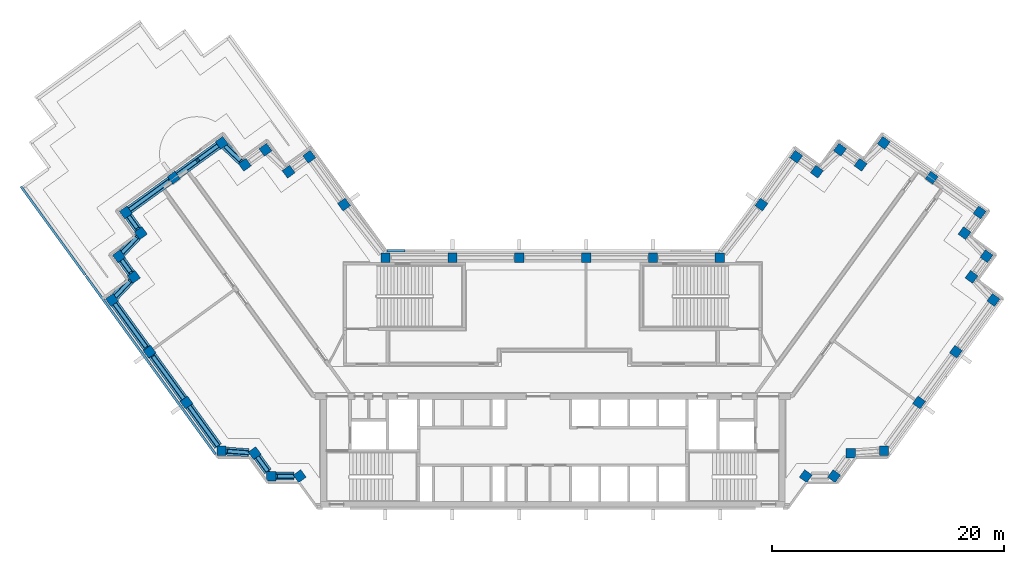
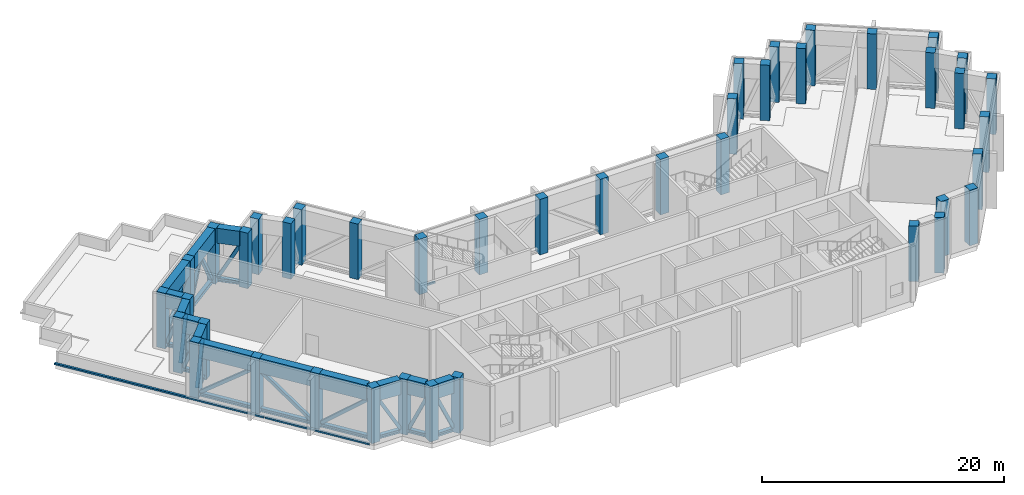
"""IFC4 building model written with IfcOpenShell, lengths in metres."""

from ifc_helpers import new_model, si_unit, direction, frame, origin, origin_2d, place, context, subcontext, project, spatial, rectangle, hollow_rectangle, i_section, extrude, material, material_profile, profile_set, type_object, element, aggregate, save


model = new_model("IFC4")

# Units and contexts
model_context = context("Model", 3, precision=1e-05, world=origin(), true_north=direction((0.0, 1.0)))
body_context = subcontext(model_context, "Body", "Model", "MODEL_VIEW")
ifc_project = project(units=[si_unit("LENGTHUNIT", "METRE"), si_unit("AREAUNIT", "SQUARE_METRE"), si_unit("VOLUMEUNIT", "CUBIC_METRE"), si_unit("PLANEANGLEUNIT", "RADIAN"), si_unit("MASSUNIT", "GRAM", prefix="KILO")], contexts=[model_context])

# Site, building, storey
site_placement = place(None, origin())
site = spatial("IfcSite", under=ifc_project, at=site_placement, CompositionType="ELEMENT")
building_placement = place(site_placement, origin())
building = spatial("IfcBuilding", under=site, at=building_placement, Name="Quipu Civic Tower", CompositionType="ELEMENT")
storey_1_placement = place(building_placement, frame((0.0, 0.0, 242.0)))
storey_1 = spatial("IfcBuildingStorey", under=building, at=storey_1_placement, Name="L57", CompositionType="ELEMENT", Elevation=242.0)

# Columns
ifc_material_1 = material(Name="Concrete C50/60", Category="concrete")
ifc_material_profile_1 = material_profile(ifc_material_1, rectangle(XDim=0.800048828125, YDim=0.800048828125, at=origin_2d()), Name="RC800x800")
ifc_profile_set_1 = profile_set([ifc_material_profile_1], Name="Concrete C50/60")
column_type = type_object("IfcColumnType", Name="Perimeter column RC 800x800 C50/60", PredefinedType="COLUMN", material=ifc_profile_set_1)
for number, where, z_axis, x_axis, name in (
    (1, (-17.9736328125, 15.074951171875, 0.0), (0.0, 0.0, 1.0), (-0.587785252292, 0.809016994375, 0.0), "Column L57 W-IN-01"),
    (2, (-20.969970703125, 19.195068359375, 0.0), (0.0, 0.0, 1.0), (-0.587785252292, 0.809016994375, 0.0), "Column L57 T-Wi.0-W22"),
    (3, (-22.749267578125, 17.904296875, 0.0), (0.0, 0.0, 1.0), (-0.587785252292, 0.809016994375, 0.0), "Column L57 T-Wi.1-W22"),
    (4, (-24.739990234375, 19.794921875, 0.0), (0.0, 0.0, 1.0), (-0.587785252292, 0.809016994375, 0.0), "Column L57 T-Wi.2-W22"),
    (5, (-26.51904296875, 18.50048828125, 0.0), (0.0, 0.0, 1.0), (-0.587785252292, 0.809016994375, 0.0), "Column L57 T-Wi.3-W22"),
    (6, (-28.510009765625, 20.389892578125, 0.0), (0.0, 0.0, 1.0), (-0.809016994375, -0.587785252292, 0.0), "Column L57 T-Wi.4-W22"),
    (7, (-32.636962890625, 17.39306640625, 0.0), (0.0, 0.0, 1.0), (-0.809016994375, -0.587785252292, 0.0), "Column L57 TIP-W-01-W22"),
    (8, (-36.764892578125, 14.39501953125, 0.0), (0.0, 0.0, 1.0), (0.587785252292, -0.809016994375, 0.0), "Column L57 T-Wo.0-W22"),
    (9, (-35.470703125, 12.616455078125, 0.0), (0.0, 0.0, 1.0), (-0.809016994375, -0.587785252292, 0.0), "Column L57 T-Wo.1-W22"),
    (10, (-37.360107421875, 10.625, 0.0), (0.0, 0.0, 1.0), (0.587785252292, -0.809016994375, 0.0), "Column L57 T-Wo.2-W22"),
    (11, (-36.068115234375, 8.843994140625, 0.0), (0.0, 0.0, 1.0), (0.587785252292, -0.809016994375, 0.0), "Column L57 T-Wo.3-W22"),
    (12, (-37.9599609375, 6.85498046875, 0.0), (0.0, 0.0, 1.0), (0.587785252292, -0.809016994375, 0.0), "Column L57 T-Wo.4-W22"),
    (13, (-34.722412109375, 2.39990234375, 0.0), (0.0, 0.0, 1.0), (0.587785252292, -0.809016994375, 0.0), "Column L57 W-OUT-02"),
    (14, (-31.54833984375, -1.96875, 0.0), (0.0, 0.0, 1.0), (0.587785252292, -0.809016994375, 0.0), "Column L57 W-OUT-01"),
    (15, (-28.52490234375, -6.1298828125, 0.0), (0.0, 0.0, 1.0), (1.0, 0.0, 0.0), "Column L57 J-Wo.0"),
    (16, (-25.67431640625, -6.3369140625, 0.0), (0.0, 0.0, 1.0), (0.587785252292, -0.809016994375, 0.0), "Column L57 J-Wo.1"),
    (17, (-24.235107421875, -8.31494140625, 0.0), (0.0, 0.0, 1.0), (1.0, 0.0, 0.0), "Column L57 J-Wo.2"),
    (18, (-21.791748046875, -8.31494140625, 0.0), (0.0, 0.0, 1.0), (0.587785252292, -0.809016994375, 0.0), "Column L57 J-Wo.3"),
    (19, (21.791748046875, -8.31494140625, 0.0), (0.0, 0.0, 1.0), (0.587785252292, 0.809016994375, 0.0), "Column L57 J-Eo.1"),
    (20, (24.235107421875, -8.31494140625, 0.0), (0.0, 0.0, 1.0), (0.587785252292, 0.809016994375, 0.0), "Column L57 J-Eo.2"),
    (21, (25.67431640625, -6.3369140625, 0.0), (0.0, 0.0, 1.0), (1.0, 0.0, 0.0), "Column L57 J-Eo.3"),
    (22, (28.52490234375, -6.1298828125, 0.0), (0.0, 0.0, 1.0), (1.0, 0.0, 0.0), "Column L57 J-Eo.4"),
    (23, (31.54833984375, -1.96875, 0.0), (0.0, 0.0, 1.0), (0.587785252292, 0.809016994375, 0.0), "Column L57 E-OUT-01"),
    (24, (34.722412109375, 2.39990234375, 0.0), (0.0, 0.0, 1.0), (0.587785252292, 0.809016994375, 0.0), "Column L57 E-OUT-02"),
    (25, (37.9599609375, 6.85498046875, 0.0), (0.0, 0.0, 1.0), (0.587785252292, 0.809016994375, 0.0), "Column L57 T-Eo.0-E22"),
    (26, (36.068115234375, 8.843994140625, 0.0), (0.0, 0.0, 1.0), (0.587785252292, 0.809016994375, 0.0), "Column L57 T-Eo.1-E22"),
    (27, (37.360107421875, 10.625, 0.0), (0.0, 0.0, 1.0), (0.587785252292, 0.809016994375, 0.0), "Column L57 T-Eo.2-E22"),
    (28, (35.470703125, 12.616455078125, 0.0), (0.0, 0.0, 1.0), (-0.809016994375, 0.587785252292, 0.0), "Column L57 T-Eo.3-E22"),
    (29, (36.764892578125, 14.39501953125, 0.0), (0.0, 0.0, 1.0), (-0.809016994375, 0.587785252292, 0.0), "Column L57 T-Eo.4-E22"),
    (30, (32.636962890625, 17.39306640625, 0.0), (0.0, 0.0, 1.0), (-0.809016994375, 0.587785252292, 0.0), "Column L57 TIP-E-01-E22"),
    (31, (28.510009765625, 20.389892578125, 0.0), (0.0, 0.0, 1.0), (-0.587785252292, -0.809016994375, 0.0), "Column L57 T-Ei.0-E22"),
    (32, (26.51904296875, 18.50048828125, 0.0), (0.0, 0.0, 1.0), (-0.809016994375, 0.587785252292, 0.0), "Column L57 T-Ei.1-E22"),
    (33, (24.739990234375, 19.794921875, 0.0), (0.0, 0.0, 1.0), (-0.587785252292, -0.809016994375, 0.0), "Column L57 T-Ei.2-E22"),
    (34, (22.749267578125, 17.904296875, 0.0), (0.0, 0.0, 1.0), (-0.587785252292, -0.809016994375, 0.0), "Column L57 T-Ei.3-E22"),
    (35, (20.969970703125, 19.195068359375, 0.0), (0.0, 0.0, 1.0), (-0.587785252292, -0.809016994375, 0.0), "Column L57 T-Ei.4-E22"),
    (36, (17.9736328125, 15.074951171875, 0.0), (0.0, 0.0, 1.0), (-0.587785252292, -0.809016994375, 0.0), "Column L57 E-IN-01"),
    (37, (14.395263671875, 10.5, 0.0), (0.0, 0.0, 1.0), (-1.0, 0.0, 0.0), "Column L57 J-Ei.0"),
    (38, (8.63720703125, 10.5, 0.0), (0.0, 0.0, 1.0), (-1.0, 0.0, 0.0), "Column L57 FRONT-01"),
    (39, (2.87890625, 10.5, 0.0), (0.0, 0.0, 1.0), (-1.0, 0.0, 0.0), "Column L57 FRONT-02"),
    (40, (-2.87890625, 10.5, 0.0), (0.0, 0.0, 1.0), (-1.0, 0.0, 0.0), "Column L57 FRONT-03"),
    (41, (-8.63720703125, 10.5, 0.0), (0.0, 0.0, 1.0), (-1.0, 0.0, 0.0), "Column L57 FRONT-04"),
    (42, (-14.395263671875, 10.5, 0.0), (0.0, 0.0, 1.0), (-1.0, 0.0, 0.0), "Column L57 J-Wi.0"),
):
    element("IfcColumn", number, at=place(storey_1_placement, frame(where, z_axis=z_axis, x_axis=x_axis)), inside=storey_1, type_object=column_type, Name=name, PredefinedType="COLUMN", context=body_context, shape_type="SweptSolid", body=[
        extrude(rectangle(XDim=0.800048828125, YDim=0.800048828125, at=origin_2d()), origin(), (0.0, 0.0, 1.0), 5.60009765625),
    ])

# Beams
ifc_material_2 = material(Name="Steel ASTM A992 Grade 50 (fy 345 MPa)", Category="steel")
ifc_material_profile_2 = material_profile(ifc_material_2, i_section(OverallWidth=0.368896484375, OverallDepth=0.356201171875, WebThickness=0.01123046875, FlangeThickness=0.01806640625, at=origin_2d()), Name="W360x134")
ifc_profile_set_2 = profile_set([ifc_material_profile_2], Name="Steel ASTM A992 Grade 50 (fy 345 MPa)")
beam_type_1 = type_object("IfcBeamType", Name="Belt truss bottom chord W360x134", PredefinedType="BEAM", material=ifc_profile_set_2)
beam_1_placement = place(storey_1_placement, frame((-26.81396484375, 18.780517578125, 0.278076171875), z_axis=(-0.725384387405, 0.688344020464, 0.0), x_axis=(-0.688344020464, -0.725384387405, 0.0)))
element("IfcBeam", 43, at=beam_1_placement, inside=storey_1, type_object=beam_type_1, Name="Truss bottom chord L57 T-Wi.3-W22 to T-Wi.4-W22", PredefinedType="BEAM", context=body_context, shape_type="SweptSolid", body=[
    extrude(i_section(OverallWidth=0.368896484375, OverallDepth=0.356201171875, WebThickness=0.01123046875, FlangeThickness=0.01806640625, at=origin_2d()), origin(), (0.0, 0.0, 1.0), 1.93115234375),
])
beam_2_placement = place(storey_1_placement, frame((-28.833740234375, 20.155029296875, 0.278076171875), z_axis=(-0.80911644178, -0.587648350327, 0.0), x_axis=(0.587648350327, -0.80911644178, 0.0)))
element("IfcBeam", 44, at=beam_2_placement, inside=storey_1, type_object=beam_type_1, Name="Truss bottom chord L57 T-Wi.4-W22 to TIP-W-01-W22", PredefinedType="BEAM", context=body_context, shape_type="SweptSolid", body=[
    extrude(i_section(OverallWidth=0.368896484375, OverallDepth=0.356201171875, WebThickness=0.01123046875, FlangeThickness=0.01806640625, at=origin_2d()), origin(), (0.0, 0.0, 1.0), 4.30029296875),
])
beam_3_placement = place(storey_1_placement, frame((-32.96044921875, 17.157958984375, 0.278076171875), z_axis=(-0.809153076016, -0.587597906373, 0.0), x_axis=(0.587597906373, -0.809153076016, 0.0)))
element("IfcBeam", 45, at=beam_3_placement, inside=storey_1, type_object=beam_type_1, Name="Truss bottom chord L57 TIP-W-01-W22 to T-Wo.0-W22", PredefinedType="BEAM", context=body_context, shape_type="SweptSolid", body=[
    extrude(i_section(OverallWidth=0.368896484375, OverallDepth=0.356201171875, WebThickness=0.01123046875, FlangeThickness=0.01806640625, at=origin_2d()), origin(), (0.0, 0.0, 1.0), 4.302001953125),
])
beam_4_placement = place(storey_1_placement, frame((-36.529541015625, 14.071533203125, 0.278076171875), z_axis=(0.58841024035, -0.808562544922, 0.0), x_axis=(0.808562544922, 0.58841024035, 0.0)))
element("IfcBeam", 46, at=beam_4_placement, inside=storey_1, type_object=beam_type_1, Name="Truss bottom chord L57 T-Wo.0-W22 to T-Wo.1-W22", PredefinedType="BEAM", context=body_context, shape_type="SweptSolid", body=[
    extrude(i_section(OverallWidth=0.368896484375, OverallDepth=0.356201171875, WebThickness=0.01123046875, FlangeThickness=0.01806640625, at=origin_2d()), origin(), (0.0, 0.0, 1.0), 1.3994140625),
])
beam_5_placement = place(storey_1_placement, frame((-35.750732421875, 12.3212890625, 0.278076171875), z_axis=(-0.688280901551, -0.725444278053, 0.0), x_axis=(0.725444278053, -0.688280901551, 0.0)))
element("IfcBeam", 47, at=beam_5_placement, inside=storey_1, type_object=beam_type_1, Name="Truss bottom chord L57 T-Wo.1-W22 to T-Wo.2-W22", PredefinedType="BEAM", context=body_context, shape_type="SweptSolid", body=[
    extrude(i_section(OverallWidth=0.368896484375, OverallDepth=0.356201171875, WebThickness=0.01123046875, FlangeThickness=0.01806640625, at=origin_2d()), origin(), (0.0, 0.0, 1.0), 1.931396484375),
])
beam_6_placement = place(storey_1_placement, frame((-37.125244140625, 10.30126953125, 0.278076171875), z_axis=(0.58725897397, -0.809399096547, 0.0), x_axis=(0.809399096547, 0.58725897397, 0.0)))
element("IfcBeam", 48, at=beam_6_placement, inside=storey_1, type_object=beam_type_1, Name="Truss bottom chord L57 T-Wo.2-W22 to T-Wo.3-W22", PredefinedType="BEAM", context=body_context, shape_type="SweptSolid", body=[
    extrude(i_section(OverallWidth=0.368896484375, OverallDepth=0.356201171875, WebThickness=0.01123046875, FlangeThickness=0.01806640625, at=origin_2d()), origin(), (0.0, 0.0, 1.0), 1.400146484375),
])
beam_7_placement = place(storey_1_placement, frame((-36.348388671875, 8.54931640625, 0.278076171875), z_axis=(-0.689191109061, -0.724579612735, 0.0), x_axis=(0.724579612735, -0.689191109061, 0.0)))
element("IfcBeam", 49, at=beam_7_placement, inside=storey_1, type_object=beam_type_1, Name="Truss bottom chord L57 T-Wo.3-W22 to T-Wo.4-W22", PredefinedType="BEAM", context=body_context, shape_type="SweptSolid", body=[
    extrude(i_section(OverallWidth=0.368896484375, OverallDepth=0.356201171875, WebThickness=0.01123046875, FlangeThickness=0.01806640625, at=origin_2d()), origin(), (0.0, 0.0, 1.0), 1.931640625),
])
beam_8_placement = place(storey_1_placement, frame((-37.724853515625, 6.531494140625, 0.278076171875), z_axis=(0.587891029962, -0.808940131833, 0.0), x_axis=(0.808940131833, 0.587891029962, 0.0)))
element("IfcBeam", 50, at=beam_8_placement, inside=storey_1, type_object=beam_type_1, Name="Truss bottom chord L57 T-Wo.4-W22 to W-OUT-02", PredefinedType="BEAM", context=body_context, shape_type="SweptSolid", body=[
    extrude(i_section(OverallWidth=0.368896484375, OverallDepth=0.356201171875, WebThickness=0.01123046875, FlangeThickness=0.01806640625, at=origin_2d()), origin(), (0.0, 0.0, 1.0), 4.707275390625),
])
beam_9_placement = place(storey_1_placement, frame((-34.4873046875, 2.076416015625, 0.278076171875), z_axis=(0.587796098864, -0.809009113768, 0.0), x_axis=(0.809009113768, 0.587796098864, 0.0)))
element("IfcBeam", 51, at=beam_9_placement, inside=storey_1, type_object=beam_type_1, Name="Truss bottom chord L57 W-OUT-02 to W-OUT-01", PredefinedType="BEAM", context=body_context, shape_type="SweptSolid", body=[
    extrude(i_section(OverallWidth=0.368896484375, OverallDepth=0.356201171875, WebThickness=0.01123046875, FlangeThickness=0.01806640625, at=origin_2d()), origin(), (0.0, 0.0, 1.0), 4.60009765625),
])
beam_10_placement = place(storey_1_placement, frame((-31.313232421875, -2.292236328125, 0.278076171875), z_axis=(0.58776850526, -0.809029161541, 0.0), x_axis=(0.809029161541, 0.58776850526, 0.0)))
element("IfcBeam", 52, at=beam_10_placement, inside=storey_1, type_object=beam_type_1, Name="Truss bottom chord L57 W-OUT-01 to J-Wo.0", PredefinedType="BEAM", context=body_context, shape_type="SweptSolid", body=[
    extrude(i_section(OverallWidth=0.368896484375, OverallDepth=0.356201171875, WebThickness=0.01123046875, FlangeThickness=0.01806640625, at=origin_2d()), origin(), (0.0, 0.0, 1.0), 4.249267578125),
])
beam_11_placement = place(storey_1_placement, frame((-28.125, -6.158935546875, 0.278076171875), z_axis=(0.997370796499, -0.072467194581, 0.0), x_axis=(0.072467194581, 0.997370796499, 0.0)))
element("IfcBeam", 53, at=beam_11_placement, inside=storey_1, type_object=beam_type_1, Name="Truss bottom chord L57 J-Wo.0 to J-Wo.1", PredefinedType="BEAM", context=body_context, shape_type="SweptSolid", body=[
    extrude(i_section(OverallWidth=0.368896484375, OverallDepth=0.356201171875, WebThickness=0.01123046875, FlangeThickness=0.01806640625, at=origin_2d()), origin(), (0.0, 0.0, 1.0), 1.933837890625),
])
beam_12_placement = place(storey_1_placement, frame((-25.43896484375, -6.660400390625, 0.278076171875), z_axis=(0.588330737135, -0.808620395329, 0.0), x_axis=(0.808620395329, 0.588330737135, 0.0)))
element("IfcBeam", 54, at=beam_12_placement, inside=storey_1, type_object=beam_type_1, Name="Truss bottom chord L57 J-Wo.1 to J-Wo.2", PredefinedType="BEAM", context=body_context, shape_type="SweptSolid", body=[
    extrude(i_section(OverallWidth=0.368896484375, OverallDepth=0.356201171875, WebThickness=0.01123046875, FlangeThickness=0.01806640625, at=origin_2d()), origin(), (0.0, 0.0, 1.0), 1.551513671875),
])
beam_13_placement = place(storey_1_placement, frame((-23.8349609375, -8.31494140625, 0.278076171875), z_axis=(1.0, 0.0, 0.0), x_axis=(0.0, 1.0, 0.0)))
element("IfcBeam", 55, at=beam_13_placement, inside=storey_1, type_object=beam_type_1, Name="Truss bottom chord L57 J-Wo.2 to J-Wo.3", PredefinedType="BEAM", context=body_context, shape_type="SweptSolid", body=[
    extrude(i_section(OverallWidth=0.368896484375, OverallDepth=0.356201171875, WebThickness=0.01123046875, FlangeThickness=0.01806640625, at=origin_2d()), origin(), (0.0, 0.0, 1.0), 1.548828125),
])

# Members
ifc_material_3 = material(Name="Steel ASTM A500 Grade C (fy 345 MPa)", Category="steel")
ifc_material_profile_3 = material_profile(ifc_material_3, hollow_rectangle(XDim=0.3046875, YDim=0.3046875, WallThickness=0.0126953125, at=origin_2d()), Name="HSS305x305x13")
ifc_profile_set_3 = profile_set([ifc_material_profile_3], Name="Steel ASTM A500 Grade C (fy 345 MPa)")
member_type_1 = type_object("IfcMemberType", Name="Belt truss diagonal HSS305x305x13", PredefinedType="BRACE", material=ifc_profile_set_3)
member_1_placement = place(storey_1_placement, frame((-26.80908203125, 18.77587890625, 4.10009765625), z_axis=(-0.341566257011, 0.32413036052, -0.882197257681), x_axis=(-0.688350201487, -0.725378521954, 0.0)))
element("IfcMember", 56, at=member_1_placement, inside=storey_1, type_object=member_type_1, Name="Truss diagonal L57 T-Wi.3-W22 to T-Wi.4-W22", PredefinedType="BRACE", context=body_context, shape_type="SweptSolid", body=[
    extrude(hollow_rectangle(XDim=0.3046875, YDim=0.3046875, WallThickness=0.0126953125, at=origin_2d()), origin(), (0.0, 0.0, 1.0), 4.130615234375),
])
member_2_placement = place(storey_1_placement, frame((-28.833740234375, 20.155029296875, 0.4560546875), z_axis=(-0.411182770509, -0.298606628878, 0.861256529976), x_axis=(0.587611181488, -0.80914343561, 0.0)))
element("IfcMember", 57, at=member_2_placement, inside=storey_1, type_object=member_type_1, Name="Truss diagonal L57 T-Wi.4-W22 to TIP-W-01-W22 half 1", PredefinedType="BRACE", context=body_context, shape_type="SweptSolid", body=[
    extrude(hollow_rectangle(XDim=0.3046875, YDim=0.3046875, WallThickness=0.0126953125, at=origin_2d()), origin(), (0.0, 0.0, 1.0), 4.23095703125),
])
member_3_placement = place(storey_1_placement, frame((-32.313232421875, 17.6279296875, 0.4560546875), z_axis=(0.411175685275, 0.298659184253, 0.861241689365), x_axis=(-0.587685515446, 0.809089448043, 0.0)))
element("IfcMember", 58, at=member_3_placement, inside=storey_1, type_object=member_type_1, Name="Truss diagonal L57 T-Wi.4-W22 to TIP-W-01-W22 half 2", PredefinedType="BRACE", context=body_context, shape_type="SweptSolid", body=[
    extrude(hollow_rectangle(XDim=0.3046875, YDim=0.3046875, WallThickness=0.0126953125, at=origin_2d()), origin(), (0.0, 0.0, 1.0), 4.231201171875),
])
member_4_placement = place(storey_1_placement, frame((-32.96044921875, 17.157958984375, 4.10009765625), z_axis=(-0.617419597176, -0.44836320025, -0.646346255257), x_axis=(0.587597906373, -0.809153076016, 0.0)))
element("IfcMember", 59, at=member_4_placement, inside=storey_1, type_object=member_type_1, Name="Truss diagonal L57 TIP-W-01-W22 to T-Wo.0-W22", PredefinedType="BRACE", context=body_context, shape_type="SweptSolid", body=[
    extrude(hollow_rectangle(XDim=0.3046875, YDim=0.3046875, WallThickness=0.0126953125, at=origin_2d()), origin(), (0.0, 0.0, 1.0), 5.637939453125),
])
member_5_placement = place(storey_1_placement, frame((-36.529541015625, 14.071533203125, 0.4560546875), z_axis=(0.210958478562, -0.289888096097, 0.933520975696), x_axis=(0.808562544922, 0.58841024035, 0.0)))
element("IfcMember", 60, at=member_5_placement, inside=storey_1, type_object=member_type_1, Name="Truss diagonal L57 T-Wo.0-W22 to T-Wo.1-W22", PredefinedType="BRACE", context=body_context, shape_type="SweptSolid", body=[
    extrude(hollow_rectangle(XDim=0.3046875, YDim=0.3046875, WallThickness=0.0126953125, at=origin_2d()), origin(), (0.0, 0.0, 1.0), 3.903564453125),
])
member_6_placement = place(storey_1_placement, frame((-35.74609375, 12.326171875, 4.10009765625), z_axis=(-0.324077463839, -0.341572800205, -0.882214157442), x_axis=(0.725441198178, -0.688284147708, 0.0)))
element("IfcMember", 61, at=member_6_placement, inside=storey_1, type_object=member_type_1, Name="Truss diagonal L57 T-Wo.1-W22 to T-Wo.2-W22", PredefinedType="BRACE", context=body_context, shape_type="SweptSolid", body=[
    extrude(hollow_rectangle(XDim=0.3046875, YDim=0.3046875, WallThickness=0.0126953125, at=origin_2d()), origin(), (0.0, 0.0, 1.0), 4.130615234375),
])
member_7_placement = place(storey_1_placement, frame((-37.125244140625, 10.30126953125, 0.4560546875), z_axis=(0.210632895332, -0.290308165122, 0.933463953599), x_axis=(0.809399096547, 0.58725897397, 0.0)))
element("IfcMember", 62, at=member_7_placement, inside=storey_1, type_object=member_type_1, Name="Truss diagonal L57 T-Wo.2-W22 to T-Wo.3-W22", PredefinedType="BRACE", context=body_context, shape_type="SweptSolid", body=[
    extrude(hollow_rectangle(XDim=0.3046875, YDim=0.3046875, WallThickness=0.0126953125, at=origin_2d()), origin(), (0.0, 0.0, 1.0), 3.90380859375),
])
member_8_placement = place(storey_1_placement, frame((-36.34375, 8.55419921875, 4.10009765625), z_axis=(-0.3245398348, -0.341207151029, -0.882185680973), x_axis=(0.724582520845, -0.689188051613, 0.0)))
element("IfcMember", 63, at=member_8_placement, inside=storey_1, type_object=member_type_1, Name="Truss diagonal L57 T-Wo.3-W22 to T-Wo.4-W22", PredefinedType="BRACE", context=body_context, shape_type="SweptSolid", body=[
    extrude(hollow_rectangle(XDim=0.3046875, YDim=0.3046875, WallThickness=0.0126953125, at=origin_2d()), origin(), (0.0, 0.0, 1.0), 4.130615234375),
])
member_9_placement = place(storey_1_placement, frame((-37.724853515625, 6.531494140625, 0.4560546875), z_axis=(0.464871729839, -0.639665140742, 0.612146046721), x_axis=(0.808940131833, 0.587891029962, 0.0)))
element("IfcMember", 64, at=member_9_placement, inside=storey_1, type_object=member_type_1, Name="Truss diagonal L57 T-Wo.4-W22 to W-OUT-02", PredefinedType="BRACE", context=body_context, shape_type="SweptSolid", body=[
    extrude(hollow_rectangle(XDim=0.3046875, YDim=0.3046875, WallThickness=0.0126953125, at=origin_2d()), origin(), (0.0, 0.0, 1.0), 5.952880859375),
])
member_10_placement = place(storey_1_placement, frame((-34.4873046875, 2.076416015625, 4.10009765625), z_axis=(0.460742917466, -0.634140342296, -0.620952486329), x_axis=(0.809009113768, 0.587796098864, 0.0)))
element("IfcMember", 65, at=member_10_placement, inside=storey_1, type_object=member_type_1, Name="Truss diagonal L57 W-OUT-02 to W-OUT-01", PredefinedType="BRACE", context=body_context, shape_type="SweptSolid", body=[
    extrude(hollow_rectangle(XDim=0.3046875, YDim=0.3046875, WallThickness=0.0126953125, at=origin_2d()), origin(), (0.0, 0.0, 1.0), 5.868408203125),
])
member_11_placement = place(storey_1_placement, frame((-31.313232421875, -2.292236328125, 0.4560546875), z_axis=(0.450314908392, -0.619796595085, 0.642704180786), x_axis=(0.809013069445, 0.587790654457, 0.0)))
element("IfcMember", 66, at=member_11_placement, inside=storey_1, type_object=member_type_1, Name="Truss diagonal L57 W-OUT-01 to J-Wo.0", PredefinedType="BRACE", context=body_context, shape_type="SweptSolid", body=[
    extrude(hollow_rectangle(XDim=0.3046875, YDim=0.3046875, WallThickness=0.0126953125, at=origin_2d()), origin(), (0.0, 0.0, 1.0), 5.669921875),
])
member_12_placement = place(storey_1_placement, frame((-28.1259765625, -6.158935546875, 4.10009765625), z_axis=(0.490486937327, -0.035643139713, -0.870719318095), x_axis=(0.072477769643, 0.997370028078, 0.0)))
element("IfcMember", 67, at=member_12_placement, inside=storey_1, type_object=member_type_1, Name="Truss diagonal L57 J-Wo.0 to J-Wo.1", PredefinedType="BRACE", context=body_context, shape_type="SweptSolid", body=[
    extrude(hollow_rectangle(XDim=0.3046875, YDim=0.3046875, WallThickness=0.0126953125, at=origin_2d()), origin(), (0.0, 0.0, 1.0), 4.18505859375),
])
member_13_placement = place(storey_1_placement, frame((-25.43896484375, -6.660400390625, 0.4560546875), z_axis=(0.242211561608, -0.332880623616, 0.911330922248), x_axis=(0.808601379045, 0.58835687283, 0.0)))
element("IfcMember", 68, at=member_13_placement, inside=storey_1, type_object=member_type_1, Name="Truss diagonal L57 J-Wo.1 to J-Wo.2", PredefinedType="BRACE", context=body_context, shape_type="SweptSolid", body=[
    extrude(hollow_rectangle(XDim=0.3046875, YDim=0.3046875, WallThickness=0.0126953125, at=origin_2d()), origin(), (0.0, 0.0, 1.0), 3.99853515625),
])
member_14_placement = place(storey_1_placement, frame((-23.8349609375, -8.31494140625, 4.10009765625), z_axis=(0.411040080777, 0.0, -0.91161727276), x_axis=(0.0, 1.0, 0.0)))
element("IfcMember", 69, at=member_14_placement, inside=storey_1, type_object=member_type_1, Name="Truss diagonal L57 J-Wo.2 to J-Wo.3", PredefinedType="BRACE", context=body_context, shape_type="SweptSolid", body=[
    extrude(hollow_rectangle(XDim=0.3046875, YDim=0.3046875, WallThickness=0.0126953125, at=origin_2d()), origin(), (0.0, 0.0, 1.0), 3.997314453125),
])

# Beams
ifc_material_4 = material(Name="Steel ASTM A572 Grade 50 (fy 345 MPa)", Category="steel")
ifc_material_profile_4 = material_profile(ifc_material_4, hollow_rectangle(XDim=0.699951171875, YDim=1.5, WallThickness=0.050048828125, at=origin_2d()), Name="BX1500x700x50")
ifc_profile_set_4 = profile_set([ifc_material_profile_4], Name="Steel ASTM A572 Grade 50 (fy 345 MPa)")
beam_type_2 = type_object("IfcBeamType", Name="Belt truss top chord BX1500x700x50", PredefinedType="BEAM", material=ifc_profile_set_4)
beam_14_placement = place(storey_1_placement, frame((-26.81396484375, 18.780517578125, 4.85009765625), z_axis=(-0.725384387405, 0.688344020464, 0.0), x_axis=(-0.688344020464, -0.725384387405, 0.0)))
element("IfcBeam", 70, at=beam_14_placement, inside=storey_1, type_object=beam_type_2, Name="Truss top chord L57 T-Wi.3-W22 to T-Wi.4-W22", PredefinedType="BEAM", context=body_context, shape_type="SweptSolid", body=[
    extrude(hollow_rectangle(XDim=0.699951171875, YDim=1.5, WallThickness=0.050048828125, at=origin_2d()), origin(), (0.0, 0.0, 1.0), 1.93115234375),
])
beam_15_placement = place(storey_1_placement, frame((-28.833740234375, 20.155029296875, 4.85009765625), z_axis=(-0.80911644178, -0.587648350327, 0.0), x_axis=(0.587648350327, -0.80911644178, 0.0)))
element("IfcBeam", 71, at=beam_15_placement, inside=storey_1, type_object=beam_type_2, Name="Truss top chord L57 T-Wi.4-W22 to TIP-W-01-W22", PredefinedType="BEAM", context=body_context, shape_type="SweptSolid", body=[
    extrude(hollow_rectangle(XDim=0.699951171875, YDim=1.5, WallThickness=0.050048828125, at=origin_2d()), origin(), (0.0, 0.0, 1.0), 4.30029296875),
])
beam_16_placement = place(storey_1_placement, frame((-32.96044921875, 17.157958984375, 4.85009765625), z_axis=(-0.809153076016, -0.587597906373, 0.0), x_axis=(0.587597906373, -0.809153076016, 0.0)))
element("IfcBeam", 72, at=beam_16_placement, inside=storey_1, type_object=beam_type_2, Name="Truss top chord L57 TIP-W-01-W22 to T-Wo.0-W22", PredefinedType="BEAM", context=body_context, shape_type="SweptSolid", body=[
    extrude(hollow_rectangle(XDim=0.699951171875, YDim=1.5, WallThickness=0.050048828125, at=origin_2d()), origin(), (0.0, 0.0, 1.0), 4.302001953125),
])
beam_17_placement = place(storey_1_placement, frame((-36.529541015625, 14.071533203125, 4.85009765625), z_axis=(0.58841024035, -0.808562544922, 0.0), x_axis=(0.808562544922, 0.58841024035, 0.0)))
element("IfcBeam", 73, at=beam_17_placement, inside=storey_1, type_object=beam_type_2, Name="Truss top chord L57 T-Wo.0-W22 to T-Wo.1-W22", PredefinedType="BEAM", context=body_context, shape_type="SweptSolid", body=[
    extrude(hollow_rectangle(XDim=0.699951171875, YDim=1.5, WallThickness=0.050048828125, at=origin_2d()), origin(), (0.0, 0.0, 1.0), 1.3994140625),
])
beam_18_placement = place(storey_1_placement, frame((-35.750732421875, 12.3212890625, 4.85009765625), z_axis=(-0.688280901551, -0.725444278053, 0.0), x_axis=(0.725444278053, -0.688280901551, 0.0)))
element("IfcBeam", 74, at=beam_18_placement, inside=storey_1, type_object=beam_type_2, Name="Truss top chord L57 T-Wo.1-W22 to T-Wo.2-W22", PredefinedType="BEAM", context=body_context, shape_type="SweptSolid", body=[
    extrude(hollow_rectangle(XDim=0.699951171875, YDim=1.5, WallThickness=0.050048828125, at=origin_2d()), origin(), (0.0, 0.0, 1.0), 1.931396484375),
])
beam_19_placement = place(storey_1_placement, frame((-37.125244140625, 10.30126953125, 4.85009765625), z_axis=(0.58725897397, -0.809399096547, 0.0), x_axis=(0.809399096547, 0.58725897397, 0.0)))
element("IfcBeam", 75, at=beam_19_placement, inside=storey_1, type_object=beam_type_2, Name="Truss top chord L57 T-Wo.2-W22 to T-Wo.3-W22", PredefinedType="BEAM", context=body_context, shape_type="SweptSolid", body=[
    extrude(hollow_rectangle(XDim=0.699951171875, YDim=1.5, WallThickness=0.050048828125, at=origin_2d()), origin(), (0.0, 0.0, 1.0), 1.400146484375),
])
beam_20_placement = place(storey_1_placement, frame((-36.348388671875, 8.54931640625, 4.85009765625), z_axis=(-0.689191109061, -0.724579612735, 0.0), x_axis=(0.724579612735, -0.689191109061, 0.0)))
element("IfcBeam", 76, at=beam_20_placement, inside=storey_1, type_object=beam_type_2, Name="Truss top chord L57 T-Wo.3-W22 to T-Wo.4-W22", PredefinedType="BEAM", context=body_context, shape_type="SweptSolid", body=[
    extrude(hollow_rectangle(XDim=0.699951171875, YDim=1.5, WallThickness=0.050048828125, at=origin_2d()), origin(), (0.0, 0.0, 1.0), 1.931640625),
])
beam_21_placement = place(storey_1_placement, frame((-37.724853515625, 6.531494140625, 4.85009765625), z_axis=(0.587891029962, -0.808940131833, 0.0), x_axis=(0.808940131833, 0.587891029962, 0.0)))
element("IfcBeam", 77, at=beam_21_placement, inside=storey_1, type_object=beam_type_2, Name="Truss top chord L57 T-Wo.4-W22 to W-OUT-02", PredefinedType="BEAM", context=body_context, shape_type="SweptSolid", body=[
    extrude(hollow_rectangle(XDim=0.699951171875, YDim=1.5, WallThickness=0.050048828125, at=origin_2d()), origin(), (0.0, 0.0, 1.0), 4.707275390625),
])
beam_22_placement = place(storey_1_placement, frame((-34.4873046875, 2.076416015625, 4.85009765625), z_axis=(0.587796098864, -0.809009113768, 0.0), x_axis=(0.809009113768, 0.587796098864, 0.0)))
element("IfcBeam", 78, at=beam_22_placement, inside=storey_1, type_object=beam_type_2, Name="Truss top chord L57 W-OUT-02 to W-OUT-01", PredefinedType="BEAM", context=body_context, shape_type="SweptSolid", body=[
    extrude(hollow_rectangle(XDim=0.699951171875, YDim=1.5, WallThickness=0.050048828125, at=origin_2d()), origin(), (0.0, 0.0, 1.0), 4.60009765625),
])
beam_23_placement = place(storey_1_placement, frame((-31.313232421875, -2.292236328125, 4.85009765625), z_axis=(0.58776850526, -0.809029161541, 0.0), x_axis=(0.809029161541, 0.58776850526, 0.0)))
element("IfcBeam", 79, at=beam_23_placement, inside=storey_1, type_object=beam_type_2, Name="Truss top chord L57 W-OUT-01 to J-Wo.0", PredefinedType="BEAM", context=body_context, shape_type="SweptSolid", body=[
    extrude(hollow_rectangle(XDim=0.699951171875, YDim=1.5, WallThickness=0.050048828125, at=origin_2d()), origin(), (0.0, 0.0, 1.0), 4.249267578125),
])
beam_24_placement = place(storey_1_placement, frame((-28.125, -6.158935546875, 4.85009765625), z_axis=(0.997370796499, -0.072467194581, 0.0), x_axis=(0.072467194581, 0.997370796499, 0.0)))
element("IfcBeam", 80, at=beam_24_placement, inside=storey_1, type_object=beam_type_2, Name="Truss top chord L57 J-Wo.0 to J-Wo.1", PredefinedType="BEAM", context=body_context, shape_type="SweptSolid", body=[
    extrude(hollow_rectangle(XDim=0.699951171875, YDim=1.5, WallThickness=0.050048828125, at=origin_2d()), origin(), (0.0, 0.0, 1.0), 1.933837890625),
])
beam_25_placement = place(storey_1_placement, frame((-25.43896484375, -6.660400390625, 4.85009765625), z_axis=(0.588330737135, -0.808620395329, 0.0), x_axis=(0.808620395329, 0.588330737135, 0.0)))
element("IfcBeam", 81, at=beam_25_placement, inside=storey_1, type_object=beam_type_2, Name="Truss top chord L57 J-Wo.1 to J-Wo.2", PredefinedType="BEAM", context=body_context, shape_type="SweptSolid", body=[
    extrude(hollow_rectangle(XDim=0.699951171875, YDim=1.5, WallThickness=0.050048828125, at=origin_2d()), origin(), (0.0, 0.0, 1.0), 1.551513671875),
])
beam_26_placement = place(storey_1_placement, frame((-23.8349609375, -8.31494140625, 4.85009765625), z_axis=(1.0, 0.0, 0.0), x_axis=(0.0, 1.0, 0.0)))
element("IfcBeam", 82, at=beam_26_placement, inside=storey_1, type_object=beam_type_2, Name="Truss top chord L57 J-Wo.2 to J-Wo.3", PredefinedType="BEAM", context=body_context, shape_type="SweptSolid", body=[
    extrude(hollow_rectangle(XDim=0.699951171875, YDim=1.5, WallThickness=0.050048828125, at=origin_2d()), origin(), (0.0, 0.0, 1.0), 1.548828125),
])

# Storey
storey_2_placement = place(building_placement, frame((0.0, 0.0, 234.0)))
storey_2 = spatial("IfcBuildingStorey", under=building, at=storey_2_placement, Name="L55", CompositionType="ELEMENT", Elevation=234.0)

# Curtain wall, members
ifc_material_5 = material(Name="Insulated glass unit", Category="glass")
curtain_wall_type = type_object("IfcCurtainWallType", Name="Office curtain wall CW1", PredefinedType="NOTDEFINED", material=ifc_material_5)
curtain_wall_1_placement = place(storey_2_placement, origin())
curtain_wall_1 = element("IfcCurtainWall", 83, at=curtain_wall_1_placement, inside=storey_2, type_object=curtain_wall_type, Name="Office curtain wall CW1 L54 run 11", PredefinedType="NOTDEFINED")
ifc_material_6 = material(Name="Anodised aluminium", Category="aluminium")
ifc_material_profile_5 = material_profile(ifc_material_6, rectangle(XDim=0.199951171875, YDim=0.159912109375, at=origin_2d()), Name="RECT 200x160")
ifc_profile_set_5 = profile_set([ifc_material_profile_5], Name="Anodised aluminium")
member_type_2 = type_object("IfcMemberType", Name="Transom CW1", PredefinedType="USERDEFINED", material=ifc_profile_set_5)
member_15_placement = place(storey_1_placement, frame((-45.802490234375, 16.629638671875, 0.0), z_axis=(0.587783783239, -0.809018061703, 0.0), x_axis=(0.809018061703, 0.587783783239, 0.0)))
member_15 = element("IfcMember", 84, at=member_15_placement, inside=storey_1, type_object=member_type_2, Name="CW1 transom 1.4", ObjectType="TRANSOM", PredefinedType="USERDEFINED", context=body_context, shape_type="SweptSolid", body=[
    extrude(rectangle(XDim=0.199951171875, YDim=0.159912109375, at=origin_2d()), origin(), (0.0, 0.0, 1.0), 9.431884765625),
])
member_16_placement = place(storey_1_placement, frame((-40.21142578125, 8.934326171875, 0.0), z_axis=(0.587773158676, -0.809025780763, 0.0), x_axis=(0.809025780763, 0.587773158676, 0.0)))
member_16 = element("IfcMember", 85, at=member_16_placement, inside=storey_1, type_object=member_type_2, Name="CW1 transom 2.4", ObjectType="TRANSOM", PredefinedType="USERDEFINED", context=body_context, shape_type="SweptSolid", body=[
    extrude(rectangle(XDim=0.199951171875, YDim=0.159912109375, at=origin_2d()), origin(), (0.0, 0.0, 1.0), 9.471923828125),
])
member_17_placement = place(storey_1_placement, frame((-34.596923828125, 1.20654296875, 0.0), z_axis=(0.587783783239, -0.809018061703, 0.0), x_axis=(0.809018061703, 0.587783783239, 0.0)))
member_17 = element("IfcMember", 86, at=member_17_placement, inside=storey_1, type_object=member_type_2, Name="CW1 transom 3.4", ObjectType="TRANSOM", PredefinedType="USERDEFINED", context=body_context, shape_type="SweptSolid", body=[
    extrude(rectangle(XDim=0.199951171875, YDim=0.159912109375, at=origin_2d()), origin(), (0.0, 0.0, 1.0), 9.431884765625),
])
aggregate(curtain_wall_1, [member_15, member_16, member_17])

# Curtain wall, member
curtain_wall_2_placement = place(storey_2_placement, origin())
curtain_wall_2 = element("IfcCurtainWall", 87, at=curtain_wall_2_placement, inside=storey_2, type_object=curtain_wall_type, Name="Office curtain wall CW1 L54 run 31", PredefinedType="NOTDEFINED")
member_18_placement = place(storey_1_placement, frame((-12.735107421875, 11.10009765625, 0.0), z_axis=(-1.0, 0.0, 0.0), x_axis=(0.0, -1.0, 0.0)))
member_18 = element("IfcMember", 88, at=member_18_placement, inside=storey_1, type_object=member_type_2, Name="CW1 transom 1.4", ObjectType="TRANSOM", PredefinedType="USERDEFINED", context=body_context, shape_type="SweptSolid", body=[
    extrude(rectangle(XDim=0.199951171875, YDim=0.159912109375, at=origin_2d()), origin(), (0.0, 0.0, 1.0), 1.529052734375),
])
aggregate(curtain_wall_2, [member_18])

save(model, "model.ifc")
